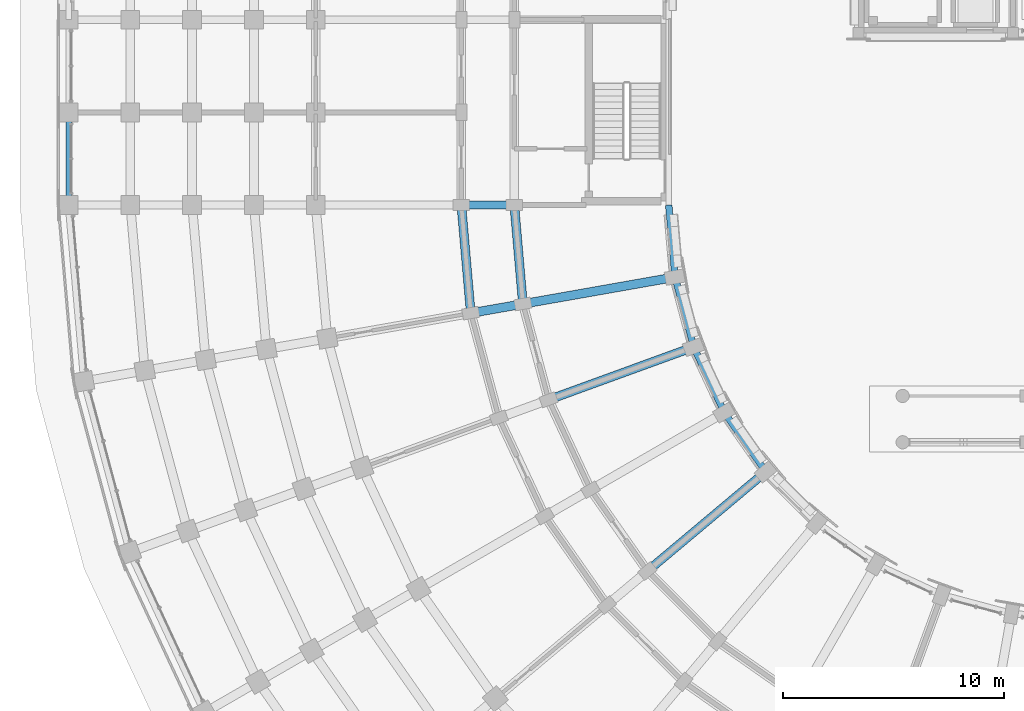
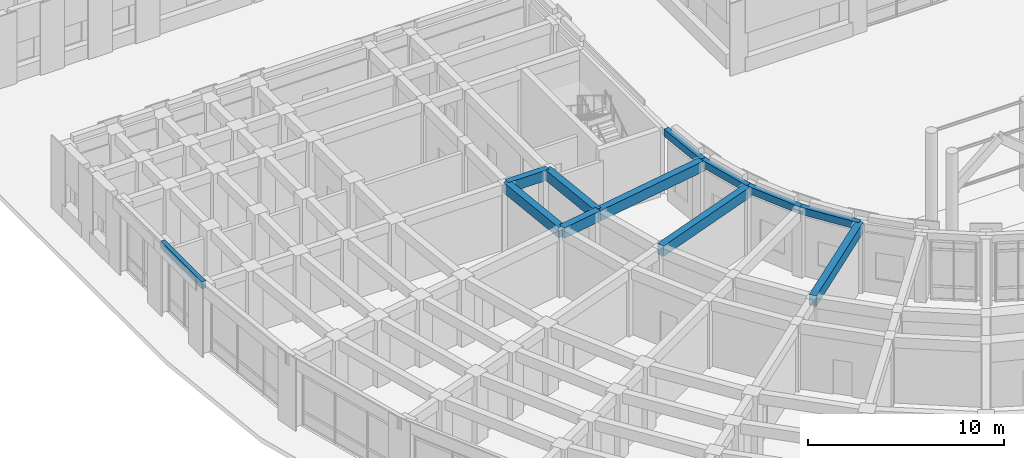
# One storey, part 20 of 135: 12 beams.
"""IFC4 building model written with IfcOpenShell, lengths in metres."""

from ifc_helpers import new_model, si_unit, direction, frame, origin, origin_2d, place, context, subcontext, project, spatial, rectangle, extrude, material, material_profile, profile_set, type_object, element, save


model = new_model("IFC4")

# Units and contexts
model_context = context("Model", 3, precision=1e-05, world=origin(), true_north=direction((0.0, 1.0)))
body_context = subcontext(model_context, "Body", "Model", "MODEL_VIEW")
ifc_project = project(units=[si_unit("LENGTHUNIT", "METRE"), si_unit("AREAUNIT", "SQUARE_METRE"), si_unit("VOLUMEUNIT", "CUBIC_METRE"), si_unit("PLANEANGLEUNIT", "RADIAN"), si_unit("MASSUNIT", "GRAM", prefix="KILO")], contexts=[model_context])

# Site, building, storey
site_placement = place(None, origin())
site = spatial("IfcSite", under=ifc_project, at=site_placement, CompositionType="ELEMENT")
building_placement = place(site_placement, origin())
building = spatial("IfcBuilding", under=site, at=building_placement, Name="Kiranvali Square Residences", CompositionType="ELEMENT")
storey_placement = place(building_placement, origin())
storey = spatial("IfcBuildingStorey", under=building, at=storey_placement, Name="L00", CompositionType="ELEMENT", Elevation=0.0)

# Beams
ifc_material_1 = material(Name="Concrete M40 (40 MPa)", Category="concrete")
ifc_material_profile_1 = material_profile(ifc_material_1, rectangle(XDim=0.35009765625, YDim=0.64990234375, at=origin_2d()), Name="RC 350x650")
ifc_profile_set_1 = profile_set([ifc_material_profile_1], Name="Concrete M40 (40 MPa)")
beam_type_1 = type_object("IfcBeamType", Name="BM-M40-350x650", PredefinedType="BEAM", material=ifc_profile_set_1)
beam_1_placement = place(storey_placement, frame((22.39990234375, 48.199951171875, 3.824951171875), z_axis=(-1.0, 0.0, 0.0), x_axis=(0.0, -1.0, 0.0)))
element("IfcBeam", 1, at=beam_1_placement, inside=storey, type_object=beam_type_1, Name="L00 beam BM-C-L00-A2T0-12", PredefinedType="BEAM", context=body_context, shape_type="SweptSolid", body=[
    extrude(rectangle(XDim=0.35009765625, YDim=0.64990234375, at=origin_2d()), origin(), (0.0, 0.0, 1.0), 2.39990234375),
])
ifc_material_2 = material(Name="Concrete M45 (45 MPa)", Category="concrete")
ifc_material_profile_2 = material_profile(ifc_material_2, rectangle(XDim=0.39990234375, YDim=0.64990234375, at=origin_2d()), Name="RC 400x650")
ifc_profile_set_2 = profile_set([ifc_material_profile_2], Name="Concrete M45 (45 MPa)")
beam_type_2 = type_object("IfcBeamType", Name="BM-M45-400x650", PredefinedType="BEAM", material=ifc_profile_set_2)
beam_2_placement = place(storey_placement, frame((22.7919921875, 43.719970703125, 3.824951171875), z_axis=(-0.087187153726, 0.996191949488, 0.0), x_axis=(-0.996191949488, -0.087187153726, 0.0)))
element("IfcBeam", 2, at=beam_2_placement, inside=storey, type_object=beam_type_2, Name="L00 beam BM-C-L00-C08-R1", PredefinedType="BEAM", context=body_context, shape_type="SweptSolid", body=[
    extrude(rectangle(XDim=0.39990234375, YDim=0.64990234375, at=origin_2d()), origin(), (0.0, 0.0, 1.0), 4.4970703125),
])
beam_3_placement = place(storey_placement, frame((20.428466796875, 43.30322265625, 3.824951171875), z_axis=(-0.087167566415, 0.996193663584, 0.0), x_axis=(-0.996193663584, -0.087167566415, 0.0)))
element("IfcBeam", 3, at=beam_3_placement, inside=storey, type_object=beam_type_2, Name="L00 beam BM-C-L00-C08-R2", PredefinedType="BEAM", context=body_context, shape_type="SweptSolid", body=[
    extrude(rectangle(XDim=0.39990234375, YDim=0.64990234375, at=origin_2d()), origin(), (0.0, 0.0, 1.0), 4.91552734375),
])
for number, where, z_axis, x_axis, name in (
    (4, (33.79833984375, 36.115478515625, 3.824951171875), (-0.766044173478, -0.642787931032, 0.0), (0.642787931032, -0.766044173478, 0.0), "L00 beam BM-C-L00-RAD05-01"),
    (5, (30.53369140625, 41.77001953125, 3.824951171875), (-0.939697665127, -0.342006283793, 0.0), (0.342006283793, -0.939697665127, 0.0), "L00 beam BM-C-L00-RAD07-01"),
):
    element("IfcBeam", number, at=place(storey_placement, frame(where, z_axis=z_axis, x_axis=x_axis)), inside=storey, type_object=beam_type_2, Name=name, PredefinedType="BEAM", context=body_context, shape_type="SweptSolid", body=[
        extrude(rectangle(XDim=0.39990234375, YDim=0.64990234375, at=origin_2d()), origin(), (0.0, 0.0, 1.0), 7.0),
    ])
beam_4_placement = place(storey_placement, frame((29.685546875, 44.935302734375, 3.824951171875), z_axis=(-0.984812337125, -0.173622177865, 0.0), x_axis=(0.173622177865, -0.984812337125, 0.0)))
element("IfcBeam", 6, at=beam_4_placement, inside=storey, type_object=beam_type_2, Name="L00 beam BM-C-L00-RAD08-01", PredefinedType="BEAM", context=body_context, shape_type="SweptSolid", body=[
    extrude(rectangle(XDim=0.39990234375, YDim=0.64990234375, at=origin_2d()), origin(), (0.0, 0.0, 1.0), 6.999755859375),
])
beam_5_placement = place(storey_placement, frame((22.7919921875, 43.719970703125, 3.824951171875), z_axis=(-0.984808127031, -0.173646056486, 0.0), x_axis=(0.173646056486, -0.984808127031, 0.0)))
element("IfcBeam", 7, at=beam_5_placement, inside=storey, type_object=beam_type_2, Name="L00 beam BM-C-L00-RAD08-12", PredefinedType="BEAM", context=body_context, shape_type="SweptSolid", body=[
    extrude(rectangle(XDim=0.39990234375, YDim=0.64990234375, at=origin_2d()), origin(), (0.0, 0.0, 1.0), 2.39990234375),
])
ifc_material_profile_3 = material_profile(ifc_material_1, rectangle(XDim=0.25, YDim=0.449951171875, at=origin_2d()), Name="RC 250x450")
ifc_profile_set_3 = profile_set([ifc_material_profile_3], Name="Concrete M40 (40 MPa)")
beam_type_3 = type_object("IfcBeamType", Name="SPN-M40-250x450", PredefinedType="SPANDREL", material=ifc_profile_set_3)
beam_6_placement = place(storey_placement, frame((2.199951171875, 48.199951171875, 3.925048828125), z_axis=(0.0, 1.0, 0.0), x_axis=(-1.0, 0.0, 0.0)))
element("IfcBeam", 8, at=beam_6_placement, inside=storey, type_object=beam_type_3, Name="L00 beam BM-C-L00-A2V0-R7", PredefinedType="SPANDREL", context=body_context, shape_type="SweptSolid", body=[
    extrude(rectangle(XDim=0.25, YDim=0.449951171875, at=origin_2d()), origin(), (0.0, 0.0, 1.0), 4.199951171875),
])
ifc_material_profile_4 = material_profile(ifc_material_1, rectangle(XDim=0.300048828125, YDim=0.449951171875, at=origin_2d()), Name="RC 300x450")
ifc_profile_set_4 = profile_set([ifc_material_profile_4], Name="Concrete M40 (40 MPa)")
beam_type_4 = type_object("IfcBeamType", Name="SPN-M40-300x450", PredefinedType="SPANDREL", material=ifc_profile_set_4)
for number, where, z_axis, x_axis, name in (
    (9, (33.79833984375, 36.115478515625, 3.925048828125), (-0.573552337269, 0.81916891812, 0.0), (-0.81916891812, -0.573552337269, 0.0), "L00 beam BM-C-L00-C05-R0"),
    (10, (31.918701171875, 38.800048828125, 3.925048828125), (-0.422640740585, 0.90629730464, 0.0), (-0.90629730464, -0.422640740585, 0.0), "L00 beam BM-C-L00-C06-R0"),
):
    element("IfcBeam", number, at=place(storey_placement, frame(where, z_axis=z_axis, x_axis=x_axis)), inside=storey, type_object=beam_type_4, Name=name, PredefinedType="SPANDREL", context=body_context, shape_type="SweptSolid", body=[
        extrude(rectangle(XDim=0.300048828125, YDim=0.449951171875, at=origin_2d()), origin(), (0.0, 0.0, 1.0), 3.277099609375),
    ])
beam_7_placement = place(storey_placement, frame((30.53369140625, 41.77001953125, 3.925048828125), z_axis=(-0.258821736607, 0.965925105099, 0.0), x_axis=(-0.965925105099, -0.258821736607, 0.0)))
element("IfcBeam", 11, at=beam_7_placement, inside=storey, type_object=beam_type_4, Name="L00 beam BM-C-L00-C07-R0", PredefinedType="SPANDREL", context=body_context, shape_type="SweptSolid", body=[
    extrude(rectangle(XDim=0.300048828125, YDim=0.449951171875, at=origin_2d()), origin(), (0.0, 0.0, 1.0), 3.27685546875),
])
beam_8_placement = place(storey_placement, frame((29.685546875, 44.935302734375, 3.925048828125), z_axis=(-0.087163253657, 0.996194040944, 0.0), x_axis=(-0.996194040944, -0.087163253657, 0.0)))
element("IfcBeam", 12, at=beam_8_placement, inside=storey, type_object=beam_type_4, Name="L00 beam BM-C-L00-C08-R0", PredefinedType="SPANDREL", context=body_context, shape_type="SweptSolid", body=[
    extrude(rectangle(XDim=0.300048828125, YDim=0.449951171875, at=origin_2d()), origin(), (0.0, 0.0, 1.0), 3.277099609375),
])

save(model, "model.ifc")
